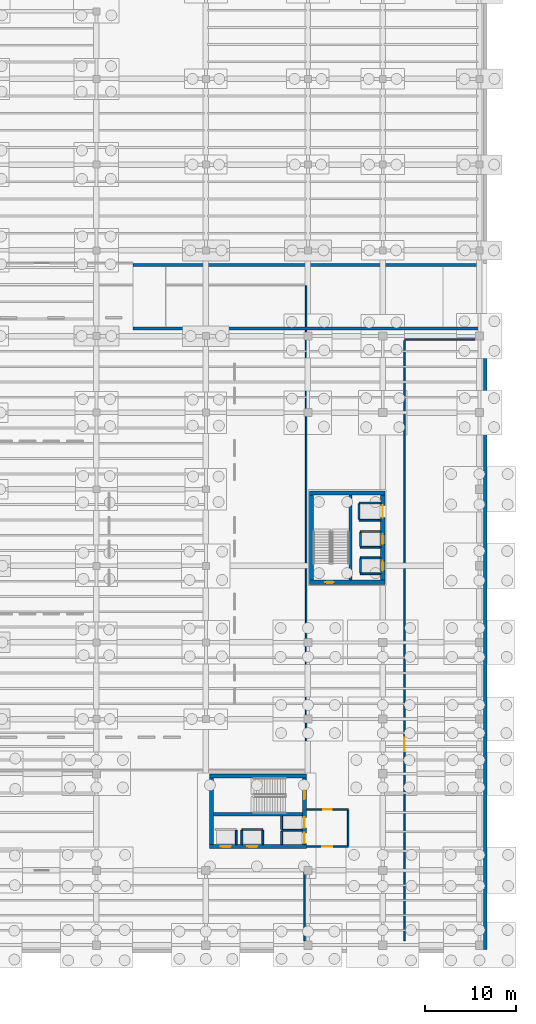
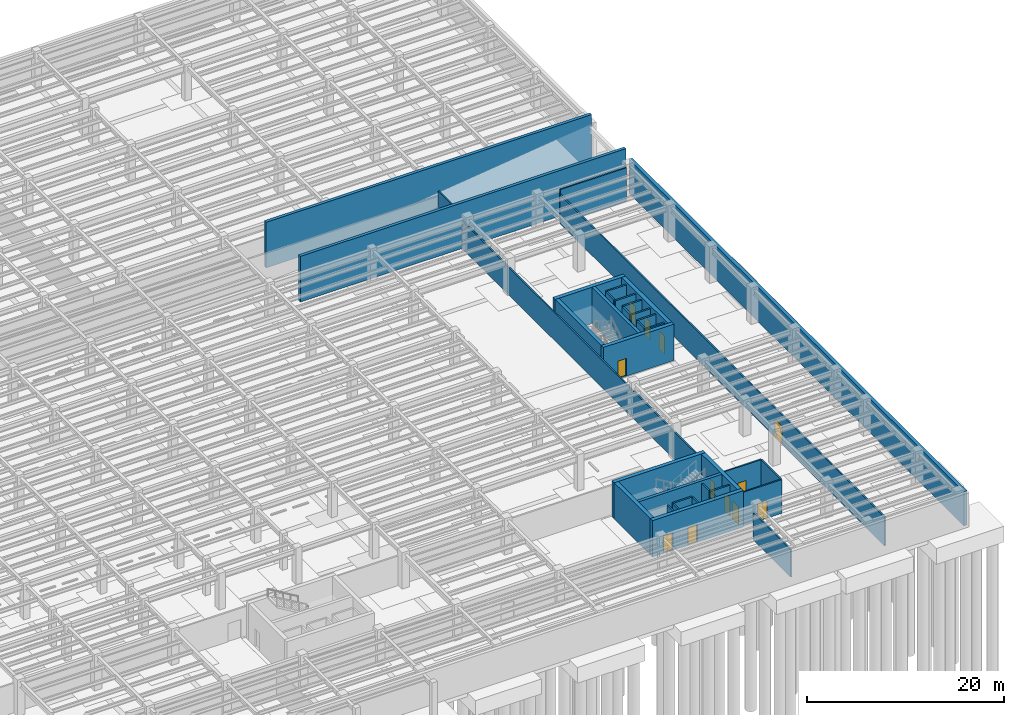
# One storey, part 40 of 49: 37 walls, 12 doors, 12 openings.
"""IFC4 building model written with IfcOpenShell, lengths in metres."""

from ifc_helpers import new_model, si_unit, direction, frame, frame_2d, origin, place, context, subcontext, project, spatial, rectangle, extrude, material, layer, layer_set, type_object, element, fill, save


model = new_model("IFC4")

# Units and contexts
model_context = context("Model", 3, precision=1e-05, world=origin(), true_north=direction((0.0, 1.0)))
body_context = subcontext(model_context, "Body", "Model", "MODEL_VIEW")
ifc_project = project(units=[si_unit("LENGTHUNIT", "METRE"), si_unit("AREAUNIT", "SQUARE_METRE"), si_unit("VOLUMEUNIT", "CUBIC_METRE"), si_unit("PLANEANGLEUNIT", "RADIAN"), si_unit("MASSUNIT", "GRAM", prefix="KILO")], contexts=[model_context])

# Site, building, storey
site_placement = place(None, origin())
site = spatial("IfcSite", under=ifc_project, at=site_placement, CompositionType="ELEMENT")
building_placement = place(site_placement, origin())
building = spatial("IfcBuilding", under=site, at=building_placement, Name="Sollismere Congress Hotel", CompositionType="ELEMENT")
storey_placement = place(building_placement, frame((0.0, 0.0, -4.5)))
storey = spatial("IfcBuildingStorey", under=building, at=storey_placement, Name="B1", CompositionType="ELEMENT", Elevation=-4.5)

# Walls
ifc_material_1 = material(Name="Moisture-Resistant Shaft Gypsum Assembly")
ifc_layer_1 = layer(ifc_material_1, 0.199951171875, Name="Moisture-Resistant Shaft Gypsum Assembly")
ifc_layer_set_1 = layer_set([ifc_layer_1], Name="Moisture-Resistant Shaft Gypsum Assembly")
wall_type_1 = type_object("IfcWallType", Name="WL-PLM200", PredefinedType="PLUMBINGWALL", material=ifc_layer_set_1)
wall_1_placement = place(storey_placement, frame((139.344970703125, 11.037109375, 0.0), z_axis=(0.0, 0.0, 1.0), x_axis=(0.0, 1.0, 0.0)))
element("IfcWall", 1, at=wall_1_placement, inside=storey, type_object=wall_type_1, Name="Interior wall IW-B1-0007", PredefinedType="PLUMBINGWALL", context=body_context, shape_type="SweptSolid", body=[
    extrude(rectangle(XDim=1.540771484375, YDim=0.199951171875, at=frame_2d((0.7705078125, 0.0))), origin(), (0.0, 0.0, 1.0), 4.175048828125),
])
wall_2_placement = place(storey_placement, frame((139.955078125, 12.68994140625, 0.0), z_axis=(0.0, 0.0, 1.0), x_axis=(1.0, 0.0, 0.0)))
element("IfcWall", 2, at=wall_2_placement, inside=storey, type_object=wall_type_1, Name="Interior wall IW-B1-0008", PredefinedType="PLUMBINGWALL", context=body_context, shape_type="SweptSolid", body=[
    extrude(rectangle(XDim=2.2900390625, YDim=0.199951171875, at=frame_2d((1.14501953125, 0.0))), origin(), (0.0, 0.0, 1.0), 4.175048828125),
])
for number, where, z_axis, x_axis, name in (
    (3, (139.955078125, 11.037109375, 0.0), (0.0, 0.0, 1.0), (0.0, 1.0, 0.0), "Interior wall IW-B1-0009"),
    (4, (142.2451171875, 11.037109375, 0.0), (0.0, 0.0, 1.0), (0.0, 1.0, 0.0), "Interior wall IW-B1-0010"),
):
    element("IfcWall", number, at=place(storey_placement, frame(where, z_axis=z_axis, x_axis=x_axis)), inside=storey, type_object=wall_type_1, Name=name, PredefinedType="PLUMBINGWALL", context=body_context, shape_type="SweptSolid", body=[
        extrude(rectangle(XDim=1.540771484375, YDim=0.199951171875, at=frame_2d((0.7705078125, 0.0))), origin(), (0.0, 0.0, 1.0), 4.175048828125),
    ])
wall_3_placement = place(storey_placement, frame((144.31005859375, 12.594970703125, 0.0), z_axis=(0.0, 0.0, 1.0), x_axis=(1.0, 0.0, 0.0)))
element("IfcWall", 5, at=wall_3_placement, inside=storey, type_object=wall_type_1, Name="Interior wall IW-B1-0011", PredefinedType="PLUMBINGWALL", context=body_context, shape_type="SweptSolid", body=[
    extrude(rectangle(XDim=2.2529296875, YDim=0.199951171875, at=frame_2d((1.12646484375, 0.0))), origin(), (0.0, 0.0, 1.0), 4.175048828125),
])
wall_4_placement = place(storey_placement, frame((144.31005859375, 11.037109375, 0.0), z_axis=(0.0, 0.0, 1.0), x_axis=(0.0, 1.0, 0.0)))
element("IfcWall", 6, at=wall_4_placement, inside=storey, type_object=wall_type_1, Name="Interior wall IW-B1-0012", PredefinedType="PLUMBINGWALL", context=body_context, shape_type="SweptSolid", body=[
    extrude(rectangle(XDim=1.44580078125, YDim=0.199951171875, at=frame_2d((0.722900390625, 0.0))), origin(), (0.0, 0.0, 1.0), 4.175048828125),
])
wall_5_placement = place(storey_placement, frame((144.31005859375, 12.70703125, 0.0), z_axis=(0.0, 0.0, 1.0), x_axis=(0.0, 1.0, 0.0)))
element("IfcWall", 7, at=wall_5_placement, inside=storey, type_object=wall_type_1, Name="Interior wall IW-B1-0013", PredefinedType="PLUMBINGWALL", context=body_context, shape_type="SweptSolid", body=[
    extrude(rectangle(XDim=1.4560546875, YDim=0.199951171875, at=frame_2d((0.72802734375, 0.0))), origin(), (0.0, 0.0, 1.0), 4.175048828125),
])
for number, where, z_axis, x_axis, name in (
    (8, (152.955078125, 40.72998046875, 0.0), (0.0, 0.0, 1.0), (1.0, 0.0, 0.0), "Interior wall IW-B1-0383"),
    (9, (152.955078125, 42.469970703125, 0.0), (0.0, 0.0, 1.0), (1.0, 0.0, 0.0), "Interior wall IW-B1-0384"),
):
    element("IfcWall", number, at=place(storey_placement, frame(where, z_axis=z_axis, x_axis=x_axis)), inside=storey, type_object=wall_type_1, Name=name, PredefinedType="PLUMBINGWALL", context=body_context, shape_type="SweptSolid", body=[
        extrude(rectangle(XDim=2.2080078125, YDim=0.199951171875, at=frame_2d((1.10400390625, 0.0))), origin(), (0.0, 0.0, 1.0), 4.175048828125),
    ])
wall_6_placement = place(storey_placement, frame((152.955078125, 40.842041015625, 0.0), z_axis=(0.0, 0.0, 1.0), x_axis=(0.0, 1.0, 0.0)))
element("IfcWall", 10, at=wall_6_placement, inside=storey, type_object=wall_type_1, Name="Interior wall IW-B1-0385", PredefinedType="PLUMBINGWALL", context=body_context, shape_type="SweptSolid", body=[
    extrude(rectangle(XDim=1.515869140625, YDim=0.199951171875, at=frame_2d((0.7578125, 0.0))), origin(), (0.0, 0.0, 1.0), 4.175048828125),
])
for number, where, z_axis, x_axis, name in (
    (11, (152.955078125, 43.6298828125, 0.0), (0.0, 0.0, 1.0), (1.0, 0.0, 0.0), "Interior wall IW-B1-0386"),
    (12, (152.955078125, 45.3701171875, 0.0), (0.0, 0.0, 1.0), (1.0, 0.0, 0.0), "Interior wall IW-B1-0387"),
):
    element("IfcWall", number, at=place(storey_placement, frame(where, z_axis=z_axis, x_axis=x_axis)), inside=storey, type_object=wall_type_1, Name=name, PredefinedType="PLUMBINGWALL", context=body_context, shape_type="SweptSolid", body=[
        extrude(rectangle(XDim=2.2080078125, YDim=0.199951171875, at=frame_2d((1.10400390625, 0.0))), origin(), (0.0, 0.0, 1.0), 4.175048828125),
    ])
wall_7_placement = place(storey_placement, frame((152.955078125, 43.741943359375, 0.0), z_axis=(0.0, 0.0, 1.0), x_axis=(0.0, 1.0, 0.0)))
element("IfcWall", 13, at=wall_7_placement, inside=storey, type_object=wall_type_1, Name="Interior wall IW-B1-0388", PredefinedType="PLUMBINGWALL", context=body_context, shape_type="SweptSolid", body=[
    extrude(rectangle(XDim=1.51611328125, YDim=0.199951171875, at=frame_2d((0.758056640625, 0.0))), origin(), (0.0, 0.0, 1.0), 4.175048828125),
])
for number, where, z_axis, x_axis, name in (
    (14, (152.800048828125, 46.60498046875, 0.0), (0.0, 0.0, 1.0), (1.0, 0.0, 0.0), "Interior wall IW-B1-0389"),
    (15, (152.800048828125, 48.4951171875, 0.0), (0.0, 0.0, 1.0), (1.0, 0.0, 0.0), "Interior wall IW-B1-0390"),
):
    element("IfcWall", number, at=place(storey_placement, frame(where, z_axis=z_axis, x_axis=x_axis)), inside=storey, type_object=wall_type_1, Name=name, PredefinedType="PLUMBINGWALL", context=body_context, shape_type="SweptSolid", body=[
        extrude(rectangle(XDim=2.363037109375, YDim=0.199951171875, at=frame_2d((1.181640625, 0.0))), origin(), (0.0, 0.0, 1.0), 4.175048828125),
    ])
wall_8_placement = place(storey_placement, frame((152.800048828125, 46.717041015625, 0.0), z_axis=(0.0, 0.0, 1.0), x_axis=(0.0, 1.0, 0.0)))
element("IfcWall", 16, at=wall_8_placement, inside=storey, type_object=wall_type_1, Name="Interior wall IW-B1-0391", PredefinedType="PLUMBINGWALL", context=body_context, shape_type="SweptSolid", body=[
    extrude(rectangle(XDim=1.666015625, YDim=0.199951171875, at=frame_2d((0.8330078125, 0.0))), origin(), (0.0, 0.0, 1.0), 4.175048828125),
])

# Wall, opening, door
ifc_material_2 = material(Name="Fire-Rated Acoustic Gypsum Partition")
ifc_layer_2 = layer(ifc_material_2, 0.1650390625, Name="Fire-Rated Acoustic Gypsum Partition")
ifc_layer_set_2 = layer_set([ifc_layer_2], Name="Fire-Rated Acoustic Gypsum Partition")
wall_type_2 = type_object("IfcWallType", Name="WL-PRT165R", PredefinedType="PARTITIONING", material=ifc_layer_set_2)
wall_9_placement = place(storey_placement, frame((147.050048828125, 10.800048828125, 0.0), z_axis=(0.0, 0.0, 1.0), x_axis=(1.0, 0.0, 0.0)))
wall_9 = element("IfcWall", 17, at=wall_9_placement, inside=storey, type_object=wall_type_2, Name="Interior wall IW-B1-0014", PredefinedType="PARTITIONING", context=body_context, shape_type="SweptSolid", body=[
    extrude(rectangle(XDim=4.550048828125, YDim=0.1650390625, at=frame_2d((2.27490234375, 0.0))), origin(), (0.0, 0.0, 1.0), 4.175048828125),
])
opening_1_placement = place(wall_9_placement, frame((1.72509765625, 0.0, 0.0)))
opening_1 = element("IfcOpeningElement", 18, at=opening_1_placement, cuts=wall_9, Name="Opening D-FFL-B1", PredefinedType="OPENING", context=body_context, shape_type="SweptSolid", body=[
    extrude(rectangle(XDim=1.10009765625, YDim=2.199951171875, at=frame_2d((0.550048828125, 1.10009765625))), frame((0.0, 0.092529296875, 0.0), z_axis=(0.0, -1.0, 0.0), x_axis=(1.0, 0.0, 0.0)), (0.0, 0.0, 1.0), 0.18505859375),
])
ifc_material_3 = material(Name="Smoke-Barrier Rated Timber-Clad Steel Door", Category="steel")
door_type_1 = type_object("IfcDoorType", Name="DR-FFL110", OperationType="NOTDEFINED", PredefinedType="DOOR", material=ifc_material_3)
door_1_placement = place(opening_1_placement, origin())
door_1 = element("IfcDoor", 19, at=door_1_placement, inside=storey, type_object=door_type_1, Name="Firefighting lobby smoke door D-FFL-B1", OperationType="SINGLE_SWING_RIGHT", OverallHeight=2.199951171875, OverallWidth=1.10009765625, PredefinedType="DOOR", context=body_context, shape_type="SweptSolid", body=[
    extrude(rectangle(XDim=1.10009765625, YDim=2.199951171875, at=frame_2d((0.550048828125, 1.10009765625))), frame((0.0, 0.02490234375, 0.0), z_axis=(0.0, -1.0, 0.0), x_axis=(1.0, 0.0, 0.0)), (0.0, 0.0, 1.0), 0.050048828125),
])
fill(opening_1, door_1)

wall_10_placement = place(storey_placement, frame((147.050048828125, 14.89990234375, 0.0), z_axis=(0.0, 0.0, 1.0), x_axis=(1.0, 0.0, 0.0)))
wall_10 = element("IfcWall", 20, at=wall_10_placement, inside=storey, type_object=wall_type_2, Name="Interior wall IW-B1-0015", PredefinedType="PARTITIONING", context=body_context, shape_type="SweptSolid", body=[
    extrude(rectangle(XDim=4.550048828125, YDim=0.1650390625, at=frame_2d((2.27490234375, 0.0))), origin(), (0.0, 0.0, 1.0), 4.175048828125),
])
opening_2_placement = place(wall_10_placement, frame((1.800048828125, 0.0, 0.0)))
opening_2 = element("IfcOpeningElement", 21, at=opening_2_placement, cuts=wall_10, Name="Opening D-FFS-B1", PredefinedType="OPENING", context=body_context, shape_type="SweptSolid", body=[
    extrude(rectangle(XDim=0.949951171875, YDim=2.199951171875, at=frame_2d((0.47509765625, 1.10009765625))), frame((0.0, 0.092529296875, 0.0), z_axis=(0.0, -1.0, 0.0), x_axis=(1.0, 0.0, 0.0)), (0.0, 0.0, 1.0), 0.18505859375),
])
ifc_material_4 = material(Name="Fire-Rated Insulated Steel Door", Category="steel")
door_type_2 = type_object("IfcDoorType", Name="DR-FD90", OperationType="NOTDEFINED", PredefinedType="DOOR", material=ifc_material_4)
door_2_placement = place(opening_2_placement, origin())
door_2 = element("IfcDoor", 22, at=door_2_placement, inside=storey, type_object=door_type_2, Name="Firefighting stair vestibule door D-FFS-B1", OperationType="SINGLE_SWING_LEFT", OverallHeight=2.199951171875, OverallWidth=0.949951171875, PredefinedType="DOOR", context=body_context, shape_type="SweptSolid", body=[
    extrude(rectangle(XDim=0.949951171875, YDim=2.199951171875, at=frame_2d((0.47509765625, 1.10009765625))), frame((0.0, 0.02490234375, 0.0), z_axis=(0.0, -1.0, 0.0), x_axis=(1.0, 0.0, 0.0)), (0.0, 0.0, 1.0), 0.050048828125),
])
fill(opening_2, door_2)

# Walls
wall_11_placement = place(storey_placement, frame((151.60009765625, 10.89453125, 0.0), z_axis=(0.0, 0.0, 1.0), x_axis=(0.0, 1.0, 0.0)))
element("IfcWall", 23, at=wall_11_placement, inside=storey, type_object=wall_type_2, Name="Interior wall IW-B1-0016", PredefinedType="PARTITIONING", context=body_context, shape_type="SweptSolid", body=[
    extrude(rectangle(XDim=3.910888671875, YDim=0.1650390625, at=frame_2d((1.95556640625, 0.0))), origin(), (0.0, 0.0, 1.0), 4.175048828125),
])
wall_12_placement = place(storey_placement, frame((157.800048828125, 66.39990234375, 0.0), z_axis=(0.0, 0.0, 1.0), x_axis=(1.0, 0.0, 0.0)))
element("IfcWall", 24, at=wall_12_placement, inside=storey, type_object=wall_type_2, Name="Interior wall IW-B1-0759", PredefinedType="PARTITIONING", context=body_context, shape_type="SweptSolid", body=[
    extrude(rectangle(XDim=7.699951171875, YDim=0.1650390625, at=frame_2d((3.85009765625, 0.0))), origin(), (0.0, 0.0, 1.0), 4.175048828125),
])
wall_13_placement = place(storey_placement, frame((146.800048828125, 0.5, 0.0), z_axis=(0.0, 0.0, 1.0), x_axis=(0.0, 1.0, 0.0)))
element("IfcWall", 25, at=wall_13_placement, inside=storey, type_object=wall_type_2, Name="Interior wall IW-B1-0768", PredefinedType="PARTITIONING", context=body_context, shape_type="SweptSolid", body=[
    extrude(rectangle(XDim=7.60546875, YDim=0.1650390625, at=frame_2d((3.802734375, 0.0))), origin(), (0.0, 0.0, 1.0), 3.4130859375),
])
wall_14_placement = place(storey_placement, frame((147.0, 19.29443359375, 0.0), z_axis=(0.0, 0.0, 1.0), x_axis=(0.0, 1.0, 0.0)))
element("IfcWall", 26, at=wall_14_placement, inside=storey, type_object=wall_type_2, Name="Interior wall IW-B1-0769", PredefinedType="PARTITIONING", context=body_context, shape_type="SweptSolid", body=[
    extrude(rectangle(XDim=48.140625, YDim=0.1650390625, at=frame_2d((24.0703125, 0.0))), origin(), (0.0, 0.0, 1.0), 3.4130859375),
])
wall_15_placement = place(storey_placement, frame((147.0, 67.81494140625, 0.0), z_axis=(0.0, 0.0, 1.0), x_axis=(0.0, 1.0, 0.0)))
element("IfcWall", 27, at=wall_15_placement, inside=storey, type_object=wall_type_2, Name="Interior wall IW-B1-0770", PredefinedType="PARTITIONING", context=body_context, shape_type="SweptSolid", body=[
    extrude(rectangle(XDim=4.490478515625, YDim=0.1650390625, at=frame_2d((2.2451171875, 0.0))), origin(), (0.0, 0.0, 1.0), 4.175048828125),
])

# Wall, opening, door
wall_16_placement = place(storey_placement, frame((157.800048828125, 0.5, 0.0), z_axis=(0.0, 0.0, 1.0), x_axis=(0.0, 1.0, 0.0)))
wall_16 = element("IfcWall", 28, at=wall_16_placement, inside=storey, type_object=wall_type_2, Name="Interior wall IW-B1-0771", PredefinedType="PARTITIONING", context=body_context, shape_type="SweptSolid", body=[
    extrude(rectangle(XDim=65.805419921875, YDim=0.1650390625, at=frame_2d((32.90283203125, 0.0))), origin(), (0.0, 0.0, 1.0), 3.587890625),
])
opening_3_placement = place(wall_16_placement, frame((20.75, 0.0, 0.0)))
opening_3 = element("IfcOpeningElement", 29, at=opening_3_placement, cuts=wall_16, Name="Opening D-B1-0255", PredefinedType="OPENING", context=body_context, shape_type="SweptSolid", body=[
    extrude(rectangle(XDim=1.5, YDim=2.25, at=frame_2d((0.75, 1.125))), frame((0.0, 0.092529296875, 0.0), z_axis=(0.0, -1.0, 0.0), x_axis=(1.0, 0.0, 0.0)), (0.0, 0.0, 1.0), 0.18505859375),
])
ifc_material_5 = material(Name="Fire-Rated Double Plant Room Door")
door_type_3 = type_object("IfcDoorType", Name="DR-PL150", OperationType="NOTDEFINED", PredefinedType="DOOR", material=ifc_material_5)
door_3_placement = place(opening_3_placement, origin())
door_3 = element("IfcDoor", 30, at=door_3_placement, inside=storey, type_object=door_type_3, Name="Interior door D-B1-0255", OperationType="DOUBLE_DOOR_SINGLE_SWING", OverallHeight=2.25, OverallWidth=1.5, PredefinedType="DOOR", context=body_context, shape_type="SweptSolid", body=[
    extrude(rectangle(XDim=1.5, YDim=2.25, at=frame_2d((0.75, 1.125))), frame((0.0, 0.02490234375, 0.0), z_axis=(0.0, -1.0, 0.0), x_axis=(1.0, 0.0, 0.0)), (0.0, 0.0, 1.0), 0.050048828125),
])
fill(opening_3, door_3)

# Walls
ifc_material_6 = material(Name="Concrete C40/50", Category="concrete")
ifc_layer_3 = layer(ifc_material_6, 0.39990234375, Name="Concrete C40/50")
ifc_layer_set_3 = layer_set([ifc_layer_3], Name="Concrete C40/50")
wall_type_3 = type_object("IfcWallType", Name="WL-RET400", PredefinedType="USERDEFINED", material=ifc_layer_set_3)
wall_17_placement = place(storey_placement, frame((166.64990234375, -0.449951171875, 0.0), z_axis=(0.0, 0.0, 1.0), x_axis=(0.0, 1.0, 0.0)))
element("IfcWall", 31, at=wall_17_placement, inside=storey, type_object=wall_type_3, Name="Exterior wall EW-B1-004", ObjectType="RETAINING WALL", PredefinedType="USERDEFINED", context=body_context, shape_type="SweptSolid", body=[
    extrude(rectangle(XDim=67.89990234375, YDim=0.39990234375, at=frame_2d((33.949951171875, 0.0))), origin(), (0.0, 0.0, 1.0), 4.235107421875),
])
ifc_layer_4 = layer(ifc_material_6, 0.35009765625, Name="Concrete C40/50")
ifc_layer_set_4 = layer_set([ifc_layer_4], Name="Concrete C40/50")
wall_type_4 = type_object("IfcWallType", Name="WL-RMP350", PredefinedType="SHEAR", material=ifc_layer_set_4)
for number, where, z_axis, x_axis, name in (
    (32, (128.0, 67.625, 0.0), (0.0, 0.0, 1.0), (1.0, 0.0, 0.0), "Exterior wall EW-B1-006"),
    (33, (128.0, 74.574951171875, 0.0), (0.0, 0.0, 1.0), (1.0, 0.0, 0.0), "Exterior wall EW-B1-007"),
):
    element("IfcWall", number, at=place(storey_placement, frame(where, z_axis=z_axis, x_axis=x_axis)), inside=storey, type_object=wall_type_4, Name=name, PredefinedType="SHEAR", context=body_context, shape_type="SweptSolid", body=[
        extrude(rectangle(XDim=38.10009765625, YDim=0.35009765625, at=frame_2d((19.050048828125, 0.0))), origin(), (0.0, 0.0, 1.0), 5.64990234375),
    ])
ifc_material_7 = material(Name="Concrete C50/60", Category="concrete")
ifc_layer_5 = layer(ifc_material_7, 0.35009765625, Name="Concrete C50/60")
ifc_layer_set_5 = layer_set([ifc_layer_5], Name="Concrete C50/60")
wall_type_5 = type_object("IfcWallType", Name="WL-SHR350", PredefinedType="SHEAR", material=ifc_layer_set_5)
wall_18_placement = place(storey_placement, frame((136.824951171875, 14.35009765625, 0.0), z_axis=(0.0, 0.0, 1.0), x_axis=(1.0, 0.0, 0.0)))
element("IfcWall", 34, at=wall_18_placement, inside=storey, type_object=wall_type_5, Name="Interior wall IW-B1-0005", PredefinedType="SHEAR", context=body_context, shape_type="SweptSolid", body=[
    extrude(rectangle(XDim=9.75, YDim=0.35009765625, at=frame_2d((4.875, 0.0))), origin(), (0.0, 0.0, 1.0), 4.5),
])
wall_19_placement = place(storey_placement, frame((151.875, 40.02490234375, 0.0), z_axis=(0.0, 0.0, 1.0), x_axis=(0.0, 1.0, 0.0)))
element("IfcWall", 35, at=wall_19_placement, inside=storey, type_object=wall_type_5, Name="Interior wall IW-B1-0382", PredefinedType="SHEAR", context=body_context, shape_type="SweptSolid", body=[
    extrude(rectangle(XDim=9.35009765625, YDim=0.35009765625, at=frame_2d((4.675048828125, 0.0))), origin(), (0.0, 0.0, 1.0), 4.5),
])

# Wall, openings, doors
ifc_layer_6 = layer(ifc_material_7, 0.449951171875, Name="Concrete C50/60")
ifc_layer_set_6 = layer_set([ifc_layer_6], Name="Concrete C50/60")
wall_type_6 = type_object("IfcWallType", Name="WL-SHR450", PredefinedType="SHEAR", material=ifc_layer_set_6)
wall_20_placement = place(storey_placement, frame((136.375, 10.800048828125, 0.0), z_axis=(0.0, 0.0, 1.0), x_axis=(1.0, 0.0, 0.0)))
wall_20 = element("IfcWall", 36, at=wall_20_placement, inside=storey, type_object=wall_type_6, Name="Interior wall IW-B1-0001", PredefinedType="SHEAR", context=body_context, shape_type="SweptSolid", body=[
    extrude(rectangle(XDim=10.64990234375, YDim=0.449951171875, at=frame_2d((5.324951171875, 0.0))), origin(), (0.0, 0.0, 1.0), 4.5),
])
opening_4_placement = place(wall_20_placement, frame((1.27490234375, 0.0, 0.0)))
opening_4 = element("IfcOpeningElement", 37, at=opening_4_placement, cuts=wall_20, Name="Opening LD-LP-01-B1", PredefinedType="OPENING", context=body_context, shape_type="SweptSolid", body=[
    extrude(rectangle(XDim=1.10009765625, YDim=2.199951171875, at=frame_2d((0.550048828125, 1.10009765625))), frame((0.0, 0.23486328125, 0.0), z_axis=(0.0, -1.0, 0.0), x_axis=(1.0, 0.0, 0.0)), (0.0, 0.0, 1.0), 0.469970703125),
])
opening_5_placement = place(wall_20_placement, frame((4.175048828125, 0.0, 0.0)))
opening_5 = element("IfcOpeningElement", 38, at=opening_5_placement, cuts=wall_20, Name="Opening LD-LP-02-B1", PredefinedType="OPENING", context=body_context, shape_type="SweptSolid", body=[
    extrude(rectangle(XDim=1.10009765625, YDim=2.199951171875, at=frame_2d((0.550048828125, 1.10009765625))), frame((0.0, 0.23486328125, 0.0), z_axis=(0.0, -1.0, 0.0), x_axis=(1.0, 0.0, 0.0)), (0.0, 0.0, 1.0), 0.469970703125),
])
ifc_material_8 = material(Name="Brushed Bronze Sliding Elevator Landing Door")
door_type_4 = type_object("IfcDoorType", Name="DR-LD110", OperationType="NOTDEFINED", PredefinedType="DOOR", material=ifc_material_8)
door_4_placement = place(opening_4_placement, origin())
door_4 = element("IfcDoor", 39, at=door_4_placement, inside=storey, type_object=door_type_4, Name="Elevator landing door LD-LP-01-B1", OperationType="SLIDING_TO_LEFT", OverallHeight=2.199951171875, OverallWidth=1.10009765625, PredefinedType="DOOR", context=body_context, shape_type="SweptSolid", body=[
    extrude(rectangle(XDim=1.10009765625, YDim=2.199951171875, at=frame_2d((0.550048828125, 1.10009765625))), frame((0.0, 0.02490234375, 0.0), z_axis=(0.0, -1.0, 0.0), x_axis=(1.0, 0.0, 0.0)), (0.0, 0.0, 1.0), 0.050048828125),
])
fill(opening_4, door_4)
door_5_placement = place(opening_5_placement, origin())
door_5 = element("IfcDoor", 40, at=door_5_placement, inside=storey, type_object=door_type_4, Name="Elevator landing door LD-LP-02-B1", OperationType="SLIDING_TO_RIGHT", OverallHeight=2.199951171875, OverallWidth=1.10009765625, PredefinedType="DOOR", context=body_context, shape_type="SweptSolid", body=[
    extrude(rectangle(XDim=1.10009765625, YDim=2.199951171875, at=frame_2d((0.550048828125, 1.10009765625))), frame((0.0, 0.02490234375, 0.0), z_axis=(0.0, -1.0, 0.0), x_axis=(1.0, 0.0, 0.0)), (0.0, 0.0, 1.0), 0.050048828125),
])
fill(opening_5, door_5)

# Walls
wall_21_placement = place(storey_placement, frame((147.02490234375, 18.550048828125, 0.0), z_axis=(0.0, 0.0, 1.0), x_axis=(-1.0, 0.0, 0.0)))
element("IfcWall", 41, at=wall_21_placement, inside=storey, type_object=wall_type_6, Name="Interior wall IW-B1-0002", PredefinedType="SHEAR", context=body_context, shape_type="SweptSolid", body=[
    extrude(rectangle(XDim=10.64990234375, YDim=0.449951171875, at=frame_2d((5.324951171875, 0.0))), origin(), (0.0, 0.0, 1.0), 4.5),
])
wall_22_placement = place(storey_placement, frame((136.60009765625, 18.324951171875, 0.0), z_axis=(0.0, 0.0, 1.0), x_axis=(0.0, -1.0, 0.0)))
element("IfcWall", 42, at=wall_22_placement, inside=storey, type_object=wall_type_6, Name="Interior wall IW-B1-0003", PredefinedType="SHEAR", context=body_context, shape_type="SweptSolid", body=[
    extrude(rectangle(XDim=7.300048828125, YDim=0.449951171875, at=frame_2d((3.64990234375, 0.0))), origin(), (0.0, 0.0, 1.0), 4.5),
])

# Wall, openings, doors
wall_23_placement = place(storey_placement, frame((146.800048828125, 11.02490234375, 0.0), z_axis=(0.0, 0.0, 1.0), x_axis=(0.0, 1.0, 0.0)))
wall_23 = element("IfcWall", 43, at=wall_23_placement, inside=storey, type_object=wall_type_6, Name="Interior wall IW-B1-0004", PredefinedType="SHEAR", context=body_context, shape_type="SweptSolid", body=[
    extrude(rectangle(XDim=7.300048828125, YDim=0.449951171875, at=frame_2d((3.64990234375, 0.0))), origin(), (0.0, 0.0, 1.0), 4.5),
])
opening_6_placement = place(wall_23_placement, frame((4.97509765625, 0.0, 0.0)))
opening_6 = element("IfcOpeningElement", 44, at=opening_6_placement, cuts=wall_23, Name="Opening D-ST-01-B1", PredefinedType="OPENING", context=body_context, shape_type="SweptSolid", body=[
    extrude(rectangle(XDim=0.949951171875, YDim=2.199951171875, at=frame_2d((0.47509765625, 1.10009765625))), frame((0.0, 0.23486328125, 0.0), z_axis=(0.0, -1.0, 0.0), x_axis=(1.0, 0.0, 0.0)), (0.0, 0.0, 1.0), 0.469970703125),
])
opening_7_placement = place(wall_23_placement, frame((0.14990234375, 0.0, 0.0)))
opening_7 = element("IfcOpeningElement", 45, at=opening_7_placement, cuts=wall_23, Name="Opening LD-FL-01-B1", PredefinedType="OPENING", context=body_context, shape_type="SweptSolid", body=[
    extrude(rectangle(XDim=1.14990234375, YDim=2.25, at=frame_2d((0.574951171875, 1.125))), frame((0.0, 0.23486328125, 0.0), z_axis=(0.0, -1.0, 0.0), x_axis=(1.0, 0.0, 0.0)), (0.0, 0.0, 1.0), 0.469970703125),
])
opening_8_placement = place(wall_23_placement, frame((1.85009765625, 0.0, 0.0)))
opening_8 = element("IfcOpeningElement", 46, at=opening_8_placement, cuts=wall_23, Name="Opening LD-FL-02-B1", PredefinedType="OPENING", context=body_context, shape_type="SweptSolid", body=[
    extrude(rectangle(XDim=1.14990234375, YDim=2.25, at=frame_2d((0.574951171875, 1.125))), frame((0.0, 0.23486328125, 0.0), z_axis=(0.0, -1.0, 0.0), x_axis=(1.0, 0.0, 0.0)), (0.0, 0.0, 1.0), 0.469970703125),
])
door_6_placement = place(opening_6_placement, origin())
door_6 = element("IfcDoor", 47, at=door_6_placement, inside=storey, type_object=door_type_2, Name="Exit stair fire door D-ST-01-B1", OperationType="SINGLE_SWING_LEFT", OverallHeight=2.199951171875, OverallWidth=0.949951171875, PredefinedType="DOOR", context=body_context, shape_type="SweptSolid", body=[
    extrude(rectangle(XDim=0.949951171875, YDim=2.199951171875, at=frame_2d((0.47509765625, 1.10009765625))), frame((0.0, 0.02490234375, 0.0), z_axis=(0.0, -1.0, 0.0), x_axis=(1.0, 0.0, 0.0)), (0.0, 0.0, 1.0), 0.050048828125),
])
fill(opening_6, door_6)
ifc_material_9 = material(Name="Stainless Steel Sliding Elevator Landing Door", Category="steel")
door_type_5 = type_object("IfcDoorType", Name="DR-LD115", OperationType="NOTDEFINED", PredefinedType="DOOR", material=ifc_material_9)
door_7_placement = place(opening_7_placement, origin())
door_7 = element("IfcDoor", 48, at=door_7_placement, inside=storey, type_object=door_type_5, Name="Elevator landing door LD-FL-01-B1", OperationType="SLIDING_TO_LEFT", OverallHeight=2.25, OverallWidth=1.14990234375, PredefinedType="DOOR", context=body_context, shape_type="SweptSolid", body=[
    extrude(rectangle(XDim=1.14990234375, YDim=2.25, at=frame_2d((0.574951171875, 1.125))), frame((0.0, 0.02490234375, 0.0), z_axis=(0.0, -1.0, 0.0), x_axis=(1.0, 0.0, 0.0)), (0.0, 0.0, 1.0), 0.050048828125),
])
fill(opening_7, door_7)
door_8_placement = place(opening_8_placement, origin())
door_8 = element("IfcDoor", 49, at=door_8_placement, inside=storey, type_object=door_type_5, Name="Elevator landing door LD-FL-02-B1", OperationType="SLIDING_TO_RIGHT", OverallHeight=2.25, OverallWidth=1.14990234375, PredefinedType="DOOR", context=body_context, shape_type="SweptSolid", body=[
    extrude(rectangle(XDim=1.14990234375, YDim=2.25, at=frame_2d((0.574951171875, 1.125))), frame((0.0, 0.02490234375, 0.0), z_axis=(0.0, -1.0, 0.0), x_axis=(1.0, 0.0, 0.0)), (0.0, 0.0, 1.0), 0.050048828125),
])
fill(opening_8, door_8)

# Wall, opening, door
wall_24_placement = place(storey_placement, frame((147.375, 39.800048828125, 0.0), z_axis=(0.0, 0.0, 1.0), x_axis=(1.0, 0.0, 0.0)))
wall_24 = element("IfcWall", 50, at=wall_24_placement, inside=storey, type_object=wall_type_6, Name="Interior wall IW-B1-0378", PredefinedType="SHEAR", context=body_context, shape_type="SweptSolid", body=[
    extrude(rectangle(XDim=8.25, YDim=0.449951171875, at=frame_2d((4.125, 0.0))), origin(), (0.0, 0.0, 1.0), 4.5),
])
opening_9_placement = place(wall_24_placement, frame((1.72509765625, 0.0, 0.0)))
opening_9 = element("IfcOpeningElement", 51, at=opening_9_placement, cuts=wall_24, Name="Opening D-ST-03-B1", PredefinedType="OPENING", context=body_context, shape_type="SweptSolid", body=[
    extrude(rectangle(XDim=0.949951171875, YDim=2.199951171875, at=frame_2d((0.47509765625, 1.10009765625))), frame((0.0, 0.23486328125, 0.0), z_axis=(0.0, -1.0, 0.0), x_axis=(1.0, 0.0, 0.0)), (0.0, 0.0, 1.0), 0.469970703125),
])
door_9_placement = place(opening_9_placement, origin())
door_9 = element("IfcDoor", 52, at=door_9_placement, inside=storey, type_object=door_type_2, Name="Exit stair fire door D-ST-03-B1", OperationType="SINGLE_SWING_LEFT", OverallHeight=2.199951171875, OverallWidth=0.949951171875, PredefinedType="DOOR", context=body_context, shape_type="SweptSolid", body=[
    extrude(rectangle(XDim=0.949951171875, YDim=2.199951171875, at=frame_2d((0.47509765625, 1.10009765625))), frame((0.0, 0.02490234375, 0.0), z_axis=(0.0, -1.0, 0.0), x_axis=(1.0, 0.0, 0.0)), (0.0, 0.0, 1.0), 0.050048828125),
])
fill(opening_9, door_9)

# Walls
wall_25_placement = place(storey_placement, frame((155.625, 49.60009765625, 0.0), z_axis=(0.0, 0.0, 1.0), x_axis=(-1.0, 0.0, 0.0)))
element("IfcWall", 53, at=wall_25_placement, inside=storey, type_object=wall_type_6, Name="Interior wall IW-B1-0379", PredefinedType="SHEAR", context=body_context, shape_type="SweptSolid", body=[
    extrude(rectangle(XDim=8.25, YDim=0.449951171875, at=frame_2d((4.125, 0.0))), origin(), (0.0, 0.0, 1.0), 4.5),
])
wall_26_placement = place(storey_placement, frame((147.60009765625, 49.375, 0.0), z_axis=(0.0, 0.0, 1.0), x_axis=(0.0, -1.0, 0.0)))
element("IfcWall", 54, at=wall_26_placement, inside=storey, type_object=wall_type_6, Name="Interior wall IW-B1-0380", PredefinedType="SHEAR", context=body_context, shape_type="SweptSolid", body=[
    extrude(rectangle(XDim=9.35009765625, YDim=0.449951171875, at=frame_2d((4.675048828125, 0.0))), origin(), (0.0, 0.0, 1.0), 4.5),
])

# Wall, openings, doors
wall_27_placement = place(storey_placement, frame((155.39990234375, 40.02490234375, 0.0), z_axis=(0.0, 0.0, 1.0), x_axis=(0.0, 1.0, 0.0)))
wall_27 = element("IfcWall", 55, at=wall_27_placement, inside=storey, type_object=wall_type_6, Name="Interior wall IW-B1-0381", PredefinedType="SHEAR", context=body_context, shape_type="SweptSolid", body=[
    extrude(rectangle(XDim=9.35009765625, YDim=0.449951171875, at=frame_2d((4.675048828125, 0.0))), origin(), (0.0, 0.0, 1.0), 4.5),
])
opening_10_placement = place(wall_27_placement, frame((1.02490234375, 0.0, 0.0)))
opening_10 = element("IfcOpeningElement", 56, at=opening_10_placement, cuts=wall_27, Name="Opening LD-LP-05-B1", PredefinedType="OPENING", context=body_context, shape_type="SweptSolid", body=[
    extrude(rectangle(XDim=1.10009765625, YDim=2.199951171875, at=frame_2d((0.550048828125, 1.10009765625))), frame((0.0, 0.23486328125, 0.0), z_axis=(0.0, -1.0, 0.0), x_axis=(1.0, 0.0, 0.0)), (0.0, 0.0, 1.0), 0.469970703125),
])
opening_11_placement = place(wall_27_placement, frame((3.925048828125, 0.0, 0.0)))
opening_11 = element("IfcOpeningElement", 57, at=opening_11_placement, cuts=wall_27, Name="Opening LD-LP-06-B1", PredefinedType="OPENING", context=body_context, shape_type="SweptSolid", body=[
    extrude(rectangle(XDim=1.10009765625, YDim=2.199951171875, at=frame_2d((0.550048828125, 1.10009765625))), frame((0.0, 0.23486328125, 0.0), z_axis=(0.0, -1.0, 0.0), x_axis=(1.0, 0.0, 0.0)), (0.0, 0.0, 1.0), 0.469970703125),
])
opening_12_placement = place(wall_27_placement, frame((6.85009765625, 0.0, 0.0)))
opening_12 = element("IfcOpeningElement", 58, at=opening_12_placement, cuts=wall_27, Name="Opening LD-LS-02-B1", PredefinedType="OPENING", context=body_context, shape_type="SweptSolid", body=[
    extrude(rectangle(XDim=1.35009765625, YDim=2.300048828125, at=frame_2d((0.675048828125, 1.14990234375))), frame((0.0, 0.23486328125, 0.0), z_axis=(0.0, -1.0, 0.0), x_axis=(1.0, 0.0, 0.0)), (0.0, 0.0, 1.0), 0.469970703125),
])
door_10_placement = place(opening_10_placement, origin())
door_10 = element("IfcDoor", 59, at=door_10_placement, inside=storey, type_object=door_type_4, Name="Elevator landing door LD-LP-05-B1", OperationType="SLIDING_TO_LEFT", OverallHeight=2.199951171875, OverallWidth=1.10009765625, PredefinedType="DOOR", context=body_context, shape_type="SweptSolid", body=[
    extrude(rectangle(XDim=1.10009765625, YDim=2.199951171875, at=frame_2d((0.550048828125, 1.10009765625))), frame((0.0, 0.02490234375, 0.0), z_axis=(0.0, -1.0, 0.0), x_axis=(1.0, 0.0, 0.0)), (0.0, 0.0, 1.0), 0.050048828125),
])
fill(opening_10, door_10)
door_11_placement = place(opening_11_placement, origin())
door_11 = element("IfcDoor", 60, at=door_11_placement, inside=storey, type_object=door_type_4, Name="Elevator landing door LD-LP-06-B1", OperationType="SLIDING_TO_RIGHT", OverallHeight=2.199951171875, OverallWidth=1.10009765625, PredefinedType="DOOR", context=body_context, shape_type="SweptSolid", body=[
    extrude(rectangle(XDim=1.10009765625, YDim=2.199951171875, at=frame_2d((0.550048828125, 1.10009765625))), frame((0.0, 0.02490234375, 0.0), z_axis=(0.0, -1.0, 0.0), x_axis=(1.0, 0.0, 0.0)), (0.0, 0.0, 1.0), 0.050048828125),
])
fill(opening_11, door_11)
ifc_material_10 = material(Name="Heavy-Duty Stainless Sliding Service Landing Door")
door_type_6 = type_object("IfcDoorType", Name="DR-LD135", OperationType="NOTDEFINED", PredefinedType="DOOR", material=ifc_material_10)
door_12_placement = place(opening_12_placement, origin())
door_12 = element("IfcDoor", 61, at=door_12_placement, inside=storey, type_object=door_type_6, Name="Elevator landing door LD-LS-02-B1", OperationType="SLIDING_TO_LEFT", OverallHeight=2.300048828125, OverallWidth=1.35009765625, PredefinedType="DOOR", context=body_context, shape_type="SweptSolid", body=[
    extrude(rectangle(XDim=1.35009765625, YDim=2.300048828125, at=frame_2d((0.675048828125, 1.14990234375))), frame((0.0, 0.02490234375, 0.0), z_axis=(0.0, -1.0, 0.0), x_axis=(1.0, 0.0, 0.0)), (0.0, 0.0, 1.0), 0.050048828125),
])
fill(opening_12, door_12)

save(model, "model.ifc")
